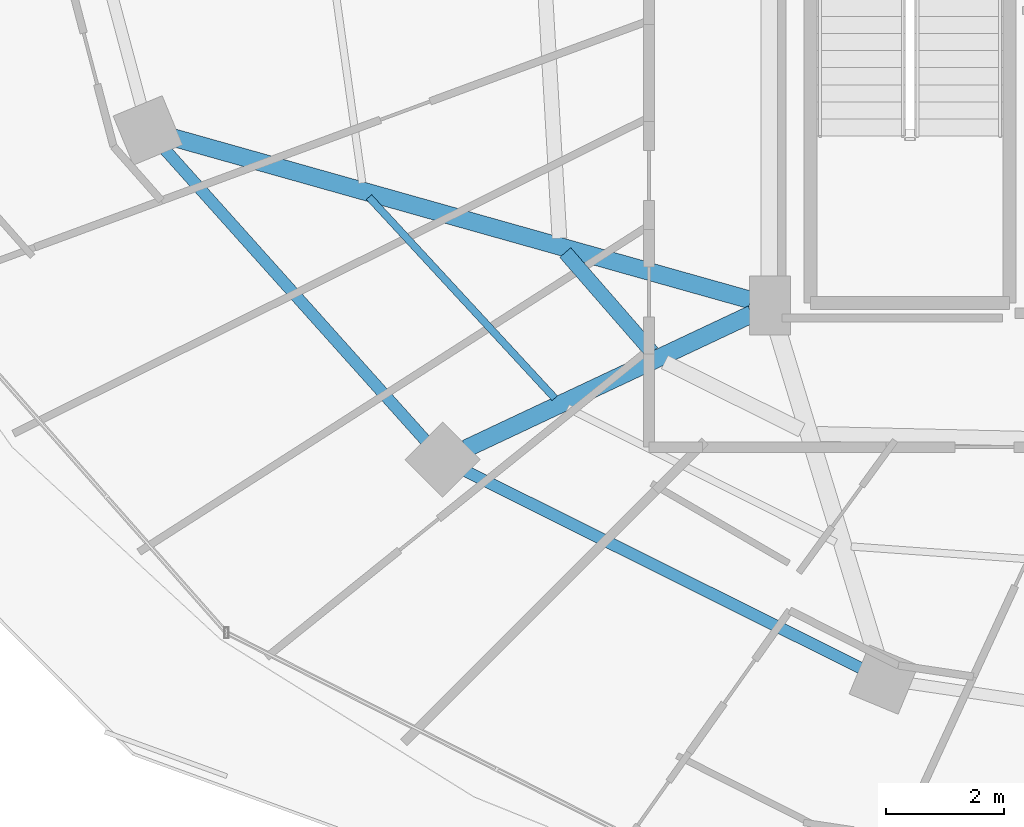
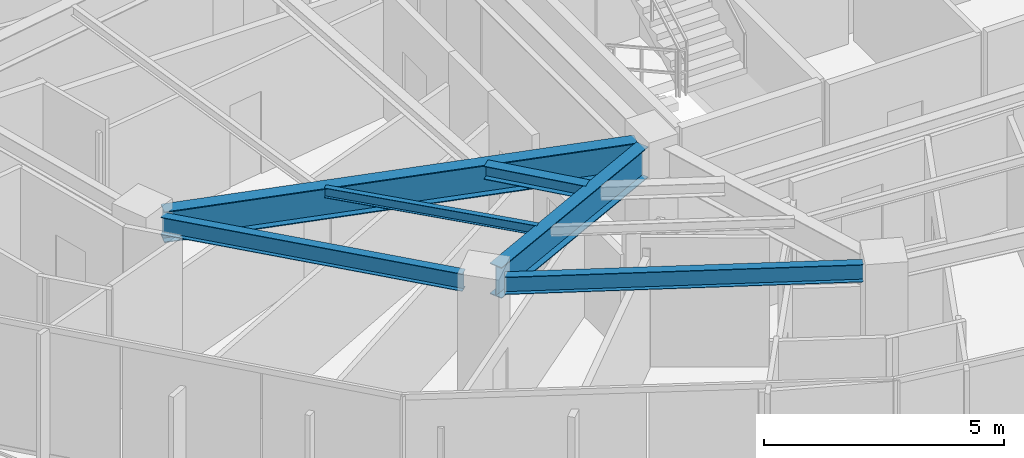
# One storey, part 4 of 33: 6 beams.
"""IFC4 building model written with IfcOpenShell, lengths in metres."""

import ifcopenshell
import ifcopenshell.guid

model = None  # the IFC model being written
_history = None  # IfcOwnerHistory: only IFC2X3 demands one
_inside = {}  # id of a spatial element -> (the spatial element, [elements in it])
_under = {}  # id of a project, library or spatial element -> (it, [spatial elements below it])
_declared = {}  # id of a project -> (the project, [libraries it declares])
_typed = {}  # id of a type object -> (the type object, [elements of that type])
_made_of = {}  # id of a material, layer set ... -> (it, [elements and type objects made of it])


def new_model(schema):
    """Start an empty IFC model of exactly this schema.

    Asked for "IFC4X3", IfcOpenShell would pick the latest addendum, in which some entities
    have other attributes; the version numbers below select the first issue.
    IFC2X3 requires an IfcOwnerHistory on every rooted entity: one is made here for all.
    """
    global model, _history
    if schema == "IFC4X3":
        model = ifcopenshell.file(schema_version=(4, 3, 0, 0))
    else:
        model = ifcopenshell.file(schema=schema)
    _inside.clear()
    _under.clear()
    _declared.clear()
    _typed.clear()
    _made_of.clear()
    _history = None
    if model.schema == "IFC2X3":
        org = make("IfcOrganization", Name="unknown")
        user = make(
            "IfcPersonAndOrganization",
            ThePerson=make("IfcPerson", FamilyName="unknown"),
            TheOrganization=org,
        )
        app = make(
            "IfcApplication",
            ApplicationDeveloper=org,
            Version="unknown",
            ApplicationFullName="unknown",
            ApplicationIdentifier="unknown",
        )
        _history = make(
            "IfcOwnerHistory",
            OwningUser=user,
            OwningApplication=app,
            ChangeAction="ADDED",
            CreationDate=0,
        )
    return model


def make(cls, **values):
    """One entity of the class cls with the attributes given. An attribute that is None is left unset."""
    return model.create_entity(
        cls, **{name: value for name, value in values.items() if value is not None}
    )


def rooted(cls, **values):
    """An entity with a GlobalId (a new one), such as an element, a storey or a relation."""
    return make(cls, GlobalId=ifcopenshell.guid.new(), OwnerHistory=_history, **values)


def si_unit(unit_type, name, prefix=None):
    """IfcSIUnit, for example si_unit("LENGTHUNIT", "METRE", prefix="MILLI")."""
    return make("IfcSIUnit", UnitType=unit_type, Prefix=prefix, Name=name)


def assignment(units):
    """IfcUnitAssignment: the units of a project."""
    return None if units is None else make("IfcUnitAssignment", Units=units)


def point(xyz):
    """IfcCartesianPoint."""
    return None if xyz is None else make("IfcCartesianPoint", Coordinates=xyz)


def direction(xyz):
    """IfcDirection."""
    return None if xyz is None else make("IfcDirection", DirectionRatios=xyz)


def frame(location, z_axis=None, x_axis=None):
    """IfcAxis2Placement3D, a coordinate frame: its origin and axes. An axis left out is left unset."""
    return make(
        "IfcAxis2Placement3D",
        Location=point(location),
        Axis=direction(z_axis),
        RefDirection=direction(x_axis),
    )


def frame_2d(location, x_axis=None):
    """IfcAxis2Placement2D, a coordinate frame in the plane: its origin and x axis."""
    return make(
        "IfcAxis2Placement2D", Location=point(location), RefDirection=direction(x_axis)
    )


def origin():
    """The frame at (0, 0, 0) with its axes left unset."""
    return frame((0.0, 0.0, 0.0))


def origin_2d():
    """The frame at (0, 0) in the plane with its x axis left unset."""
    return frame_2d((0.0, 0.0))


def place(relative_to, where):
    """IfcLocalPlacement: puts the frame where relative to a parent placement (None: the world)."""
    return make(
        "IfcLocalPlacement", PlacementRelTo=relative_to, RelativePlacement=where
    )


def context(
    kind, dimensions, precision=None, world=None, true_north=None, identifier=None
):
    """IfcGeometricRepresentationContext, for example the 3D "Model" context."""
    return make(
        "IfcGeometricRepresentationContext",
        ContextIdentifier=identifier,
        ContextType=kind,
        CoordinateSpaceDimension=dimensions,
        Precision=precision,
        WorldCoordinateSystem=world,
        TrueNorth=true_north,
    )


def subcontext(parent, identifier, kind, view, scale=None):
    """IfcGeometricRepresentationSubContext, for example "Body" below "Model"."""
    return make(
        "IfcGeometricRepresentationSubContext",
        ContextIdentifier=identifier,
        ContextType=kind,
        ParentContext=parent,
        TargetScale=scale,
        TargetView=view,
    )


def project(units=None, contexts=None):
    """IfcProject with its units and contexts."""
    return rooted(
        "IfcProject",
        Name="project",
        RepresentationContexts=contexts,
        UnitsInContext=assignment(units),
    )


def spatial(cls, under=None, at=None, **own):
    """A site, building, storey or space (cls), placed at a placement, below another one or the project."""
    s = rooted(cls, ObjectPlacement=at, **own)
    if under is not None:
        _under.setdefault(under.id(), (under, []))[1].append(s)
    return s


def profile(cls, at=None, kind="AREA", **sizes):
    """A parametric profile (cls). Its sizes go by their IFC names, for example OverallWidth=200.0."""
    return make(cls, ProfileType=kind, Position=at, **sizes)


def i_section(**sizes):
    """IfcIShapeProfileDef."""
    return profile("IfcIShapeProfileDef", **sizes)


def extrude(swept, where, along, depth):
    """IfcExtrudedAreaSolid: the profile swept, set in the frame where, extruded along a direction by depth."""
    return make(
        "IfcExtrudedAreaSolid",
        SweptArea=swept,
        Position=where,
        ExtrudedDirection=direction(along),
        Depth=depth,
    )


def shape(context_of_items, identifier, shape_type, items):
    """IfcShapeRepresentation: the items that make up one representation, for example the "Body"."""
    return make(
        "IfcShapeRepresentation",
        ContextOfItems=context_of_items,
        RepresentationIdentifier=identifier,
        RepresentationType=shape_type,
        Items=items,
    )


def material(Name=None, Category=None):
    """IfcMaterial."""
    return make("IfcMaterial", Name=Name, Category=Category)


def material_profile(
    of_material, cross_section, Name=None, Category=None, Priority=None
):
    """IfcMaterialProfile: a cross section and its material."""
    return make(
        "IfcMaterialProfile",
        Name=Name,
        Material=of_material,
        Profile=cross_section,
        Priority=Priority,
        Category=Category,
    )


def profile_set(profiles, Name=None, composite=None):
    """IfcMaterialProfileSet."""
    return make(
        "IfcMaterialProfileSet",
        Name=Name,
        MaterialProfiles=profiles,
        CompositeProfile=composite,
    )


def made_of(thing, what):
    """Note that an element or type object is made of a material, layer set ...; save() writes the relation."""
    if what is not None:
        _made_of.setdefault(what.id(), (what, []))[1].append(thing)
    return thing


def type_object(cls, material=None, **own):
    """A type object (cls), such as IfcWallType, which elements share."""
    return made_of(rooted(cls, **own), material)


def element(
    cls,
    number,
    at=None,
    inside=None,
    cuts=None,
    type_object=None,
    material=None,
    context=None,
    identifier="Body",
    shape_type=None,
    held_by="IfcProductDefinitionShape",
    body=None,
    shapes=None,
    **own,
):
    """One element of the class cls, such as IfcWall. Its Tag is "e" and its number.

    at: its placement. inside: the storey or other place that contains it. cuts: it is an
    opening in that element (IfcRelVoidsElement). A single representation is given by context,
    identifier, shape_type and body (its items); several are given by shapes. held_by: the class
    of the entity that holds the representations. save() writes the other relations.
    """
    e = rooted(cls, Tag="e%d" % number, ObjectPlacement=at, **own)
    if body is not None:
        shapes = [shape(context, identifier, shape_type, body)]
    if shapes is not None:
        e.Representation = make(held_by, Representations=shapes)
    if inside is not None:
        _inside.setdefault(inside.id(), (inside, []))[1].append(e)
    if cuts is not None:
        rooted(
            "IfcRelVoidsElement", RelatingBuildingElement=cuts, RelatedOpeningElement=e
        )
    if type_object is not None:
        _typed.setdefault(type_object.id(), (type_object, []))[1].append(e)
    return made_of(e, material)


def aggregate(whole, parts):
    """IfcRelAggregates: a whole, such as a stair, and the parts it consists of."""
    return rooted("IfcRelAggregates", RelatingObject=whole, RelatedObjects=parts)


def save(model, path):
    """Write the relations noted so far, then the file.

    IfcRelAggregates (storeys below a building ...), IfcRelContainedInSpatialStructure (elements
    in a storey), IfcRelDefinesByType, IfcRelAssociatesMaterial and IfcRelDeclares: one each for
    every whole, place, type object, material and project.
    """
    for whole, parts in _under.values():
        aggregate(whole, parts)
    for where, things in _inside.values():
        rooted(
            "IfcRelContainedInSpatialStructure",
            RelatedElements=things,
            RelatingStructure=where,
        )
    for kind, things in _typed.values():
        rooted("IfcRelDefinesByType", RelatedObjects=things, RelatingType=kind)
    for what, things in _made_of.values():
        rooted("IfcRelAssociatesMaterial", RelatedObjects=things, RelatingMaterial=what)
    for by, libraries in _declared.values():
        rooted("IfcRelDeclares", RelatingContext=by, RelatedDefinitions=libraries)
    model.write(path)


model = new_model("IFC4")

# Units and contexts
model_context = context("Model", 3, precision=1e-05, world=origin(), true_north=direction((0.0, 1.0)))
body_context = subcontext(model_context, "Body", "Model", "MODEL_VIEW")
ifc_project = project(units=[si_unit("LENGTHUNIT", "METRE"), si_unit("AREAUNIT", "SQUARE_METRE"), si_unit("VOLUMEUNIT", "CUBIC_METRE"), si_unit("PLANEANGLEUNIT", "RADIAN"), si_unit("MASSUNIT", "GRAM", prefix="KILO")], contexts=[model_context])

# Site, building, storey
site_placement = place(None, origin())
site = spatial("IfcSite", under=ifc_project, at=site_placement, CompositionType="ELEMENT")
building_placement = place(site_placement, origin())
building = spatial("IfcBuilding", under=site, at=building_placement, Name="Vorneva Point Tower", CompositionType="ELEMENT")
storey_placement = place(building_placement, frame((0.0, 0.0, 203.64990234375)))
storey = spatial("IfcBuildingStorey", under=building, at=storey_placement, Name="L55", CompositionType="ELEMENT", Elevation=203.64990234375)

# Beams
ifc_material = material(Name="Steel S355", Category="steel")
ifc_material_profile_1 = material_profile(ifc_material, i_section(OverallWidth=0.300048828125, OverallDepth=0.7880859375, WebThickness=0.014404296875, FlangeThickness=0.02197265625, at=origin_2d()), Name="80Sh1")
ifc_profile_set_1 = profile_set([ifc_material_profile_1], Name="Steel S355")
beam_type_1 = type_object("IfcBeamType", Name="BM-GRD-80Sh1", PredefinedType="USERDEFINED", material=ifc_profile_set_1)
beam_1_placement = place(storey_placement, frame((17.126220703125, 19.299072265625, 2.89599609375), z_axis=(0.962603641144, -0.270913694847, 0.0), x_axis=(0.270913694847, 0.962603641144, 0.0)))
element("IfcBeam", 1, at=beam_1_placement, inside=storey, type_object=beam_type_1, Name="L55 Radial Primary Girder 10", ObjectType="GIRDER", PredefinedType="USERDEFINED", context=body_context, shape_type="SweptSolid", body=[
    extrude(i_section(OverallWidth=0.300048828125, OverallDepth=0.7880859375, WebThickness=0.014404296875, FlangeThickness=0.02197265625, at=origin_2d()), origin(), (0.0, 0.0, 1.0), 10.177001953125),
])
beam_2_placement = place(storey_placement, frame((22.097412109375, 14.0244140625, 2.89599609375), z_axis=(0.904762899762, 0.42591559635, 0.0), x_axis=(-0.42591559635, 0.904762899762, 0.0)))
element("IfcBeam", 2, at=beam_2_placement, inside=storey, type_object=beam_type_1, Name="L55 Radial Primary Girder 11", ObjectType="GIRDER", PredefinedType="USERDEFINED", context=body_context, shape_type="SweptSolid", body=[
    extrude(i_section(OverallWidth=0.300048828125, OverallDepth=0.7880859375, WebThickness=0.014404296875, FlangeThickness=0.02197265625, at=origin_2d()), origin(), (0.0, 0.0, 1.0), 5.35498046875),
])
ifc_material_profile_2 = material_profile(ifc_material, i_section(OverallWidth=0.1240234375, OverallDepth=0.248046875, WebThickness=0.0048828125, FlangeThickness=0.008056640625, at=origin_2d()), Name="25B1")
ifc_profile_set_2 = profile_set([ifc_material_profile_2], Name="Steel S355")
beam_type_2 = type_object("IfcBeamType", Name="BM-JST-25B1", PredefinedType="JOIST", material=ifc_profile_set_2)
beam_3_placement = place(storey_placement, frame((20.45263671875, 18.287841796875, 3.166015625), z_axis=(0.678627352567, -0.734482754289, 0.0), x_axis=(0.734482754289, 0.678627352567, 0.0)))
element("IfcBeam", 3, at=beam_3_placement, inside=storey, type_object=beam_type_2, Name="L55 Secondary Floor Beam 1.10", PredefinedType="JOIST", context=body_context, shape_type="SweptSolid", body=[
    extrude(i_section(OverallWidth=0.1240234375, OverallDepth=0.248046875, WebThickness=0.0048828125, FlangeThickness=0.008056640625, at=origin_2d()), origin(), (0.0, 0.0, 1.0), 4.641845703125),
])
ifc_material_profile_3 = material_profile(ifc_material, i_section(OverallWidth=0.2490234375, OverallDepth=0.333984375, WebThickness=0.008056640625, FlangeThickness=0.010986328125, at=origin_2d()), Name="35Sh1")
ifc_profile_set_3 = profile_set([ifc_material_profile_3], Name="Steel S355")
beam_type_3 = type_object("IfcBeamType", Name="BM-SEC-35Sh1", PredefinedType="BEAM", material=ifc_profile_set_3)
beam_4_placement = place(storey_placement, frame((23.780517578125, 17.347900390625, 3.123046875), z_axis=(0.656591007915, -0.754246808628, 0.0), x_axis=(0.754246808628, 0.656591007915, 0.0)))
element("IfcBeam", 4, at=beam_4_placement, inside=storey, type_object=beam_type_3, Name="L55 Secondary Floor Beam 2.10", PredefinedType="BEAM", context=body_context, shape_type="SweptSolid", body=[
    extrude(i_section(OverallWidth=0.2490234375, OverallDepth=0.333984375, WebThickness=0.008056640625, FlangeThickness=0.010986328125, at=origin_2d()), origin(), (0.0, 0.0, 1.0), 2.242431640625),
])
ifc_material_profile_4 = material_profile(ifc_material, i_section(OverallWidth=0.198974609375, OverallDepth=0.446044921875, WebThickness=0.008056640625, FlangeThickness=0.011962890625, at=origin_2d()), Name="45B1")
ifc_profile_set_4 = profile_set([ifc_material_profile_4], Name="Steel S355")
beam_type_4 = type_object("IfcBeamType", Name="BM-SPN-45B1", PredefinedType="SPANDREL", material=ifc_profile_set_4)
beam_5_placement = place(storey_placement, frame((16.994873046875, 19.09375, 3.067138671875), z_axis=(0.66706970547, -0.744995307397, 0.0), x_axis=(0.744995307397, 0.66706970547, 0.0)))
element("IfcBeam", 5, at=beam_5_placement, inside=storey, type_object=beam_type_4, Name="L55 Perimeter Spandrel Ring Beam 10", PredefinedType="SPANDREL", context=body_context, shape_type="SweptSolid", body=[
    extrude(i_section(OverallWidth=0.198974609375, OverallDepth=0.446044921875, WebThickness=0.008056640625, FlangeThickness=0.011962890625, at=origin_2d()), origin(), (0.0, 0.0, 1.0), 6.6201171875),
])
beam_6_placement = place(storey_placement, frame((22.090576171875, 13.643798828125, 3.067138671875), z_axis=(0.894922371084, -0.446221861559, 0.0), x_axis=(0.446221861559, 0.894922371084, 0.0)))
element("IfcBeam", 6, at=beam_6_placement, inside=storey, type_object=beam_type_4, Name="L55 Perimeter Spandrel Ring Beam 11", PredefinedType="SPANDREL", context=body_context, shape_type="SweptSolid", body=[
    extrude(i_section(OverallWidth=0.198974609375, OverallDepth=0.446044921875, WebThickness=0.008056640625, FlangeThickness=0.011962890625, at=origin_2d()), origin(), (0.0, 0.0, 1.0), 7.48583984375),
])

save(model, "model.ifc")
